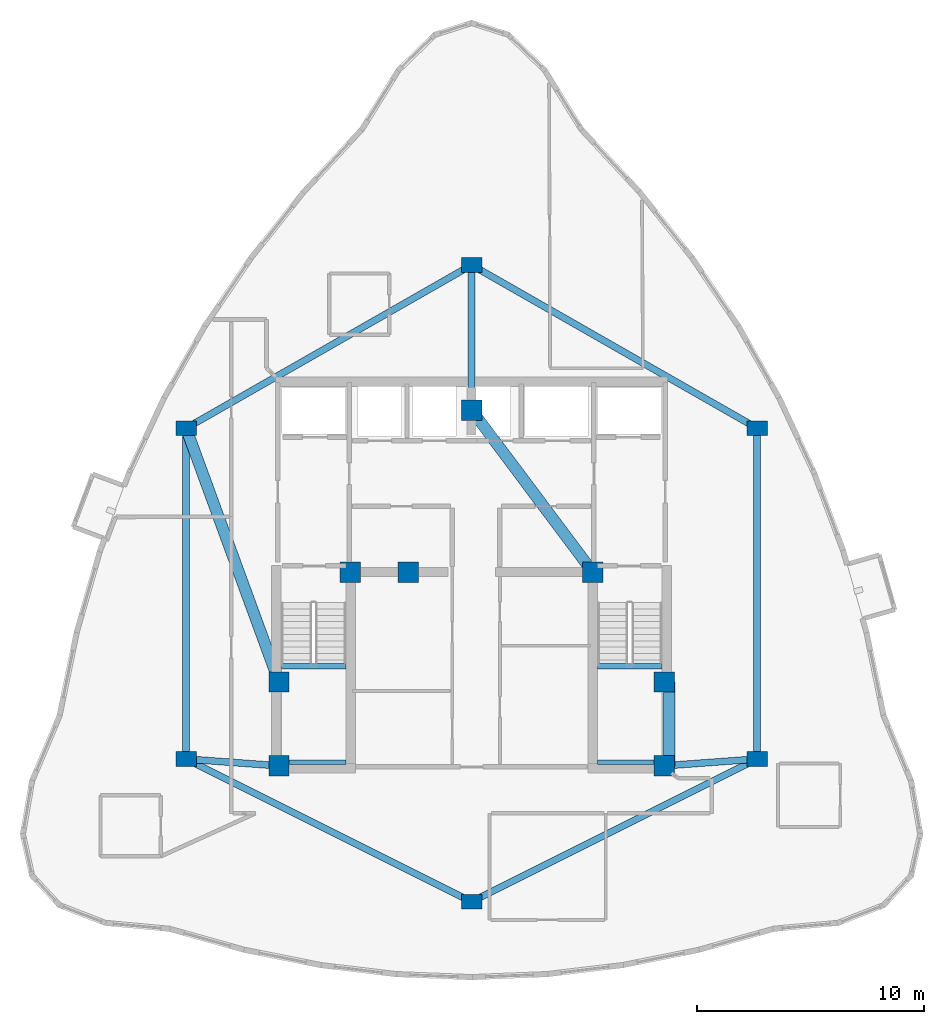
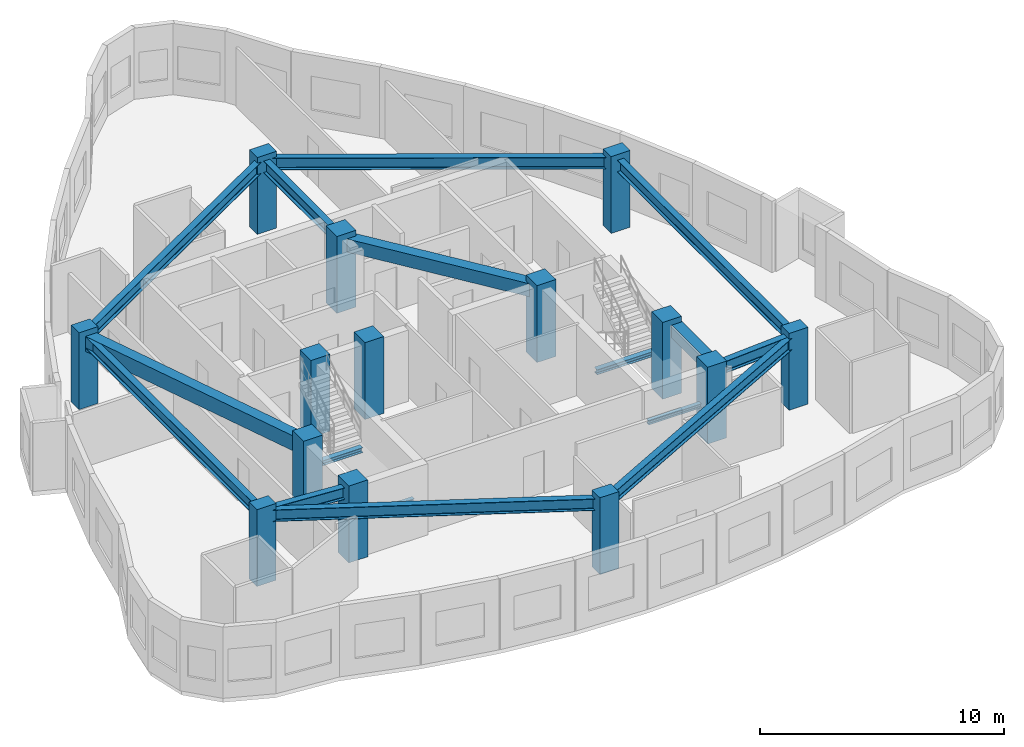
# One storey, part 1 of 9: 16 beams, 14 columns.
"""IFC4 building model written with IfcOpenShell, lengths in metres."""

from ifc_helpers import new_model, si_unit, direction, frame, origin, origin_2d, place, context, subcontext, project, spatial, rectangle, i_section, extrude, material, material_profile, profile_set, type_object, element, save


model = new_model("IFC4")

# Units and contexts
model_context = context("Model", 3, precision=1e-05, world=origin(), true_north=direction((0.0, 1.0)))
body_context = subcontext(model_context, "Body", "Model", "MODEL_VIEW")
ifc_project = project(units=[si_unit("LENGTHUNIT", "METRE"), si_unit("AREAUNIT", "SQUARE_METRE"), si_unit("VOLUMEUNIT", "CUBIC_METRE"), si_unit("PLANEANGLEUNIT", "RADIAN"), si_unit("MASSUNIT", "GRAM", prefix="KILO")], contexts=[model_context])

# Site, building, storey
site_placement = place(None, origin())
site = spatial("IfcSite", under=ifc_project, at=site_placement, CompositionType="ELEMENT")
building_placement = place(site_placement, origin())
building = spatial("IfcBuilding", under=site, at=building_placement, Name="Miruveldt Soraemaru", CompositionType="ELEMENT")
storey_placement = place(building_placement, frame((0.0, 0.0, 267.39990234375)))
storey = spatial("IfcBuildingStorey", under=building, at=storey_placement, Name="L73", CompositionType="ELEMENT", Elevation=267.39990234375)

# Columns
ifc_material_1 = material(Name="Concrete C50/60 (50 MPa)", Category="concrete")
ifc_material_profile_1 = material_profile(ifc_material_1, rectangle(XDim=0.89990234375, YDim=0.89990234375, at=origin_2d()), Name="Concrete C50/60 (50 MPa)", Category="concrete")
ifc_profile_set_1 = profile_set([ifc_material_profile_1], Name="Concrete C50/60 (50 MPa)")
column_type_1 = type_object("IfcColumnType", Name="COL-CORE-900", PredefinedType="COLUMN", material=ifc_profile_set_1)
for number, where, z_axis, x_axis, name in (
    (1, (35.5, 35.5, 0.0), (0.0, 0.0, 1.0), (1.0, 0.0, 0.0), "L73 Structural Column CC1"),
    (2, (38.64990234375, 44.050048828125, 0.0), (0.0, 0.0, 1.0), (1.0, 0.0, 0.0), "L73 Structural Column CC2"),
    (3, (52.5, 35.5, 0.0), (0.0, 0.0, 1.0), (1.0, 0.0, 0.0), "L73 Structural Column CC3"),
    (4, (52.5, 39.199951171875, 0.0), (0.0, 0.0, 1.0), (1.0, 0.0, 0.0), "L73 Structural Column CC4"),
    (5, (49.35009765625, 44.050048828125, 0.0), (0.0, 0.0, 1.0), (1.0, 0.0, 0.0), "L73 Structural Column CC5"),
    (6, (44.0, 51.199951171875, 0.0), (0.0, 0.0, 1.0), (1.0, 0.0, 0.0), "L73 Structural Column CC6"),
    (7, (35.5, 39.199951171875, 0.0), (0.0, 0.0, 1.0), (1.0, 0.0, 0.0), "L73 Structural Column CC7"),
    (8, (41.199951171875, 44.050048828125, 0.0), (0.0, 0.0, 1.0), (1.0, 0.0, 0.0), "L73 Structural Column CC8"),
):
    element("IfcColumn", number, at=place(storey_placement, frame(where, z_axis=z_axis, x_axis=x_axis)), inside=storey, type_object=column_type_1, Name=name, PredefinedType="COLUMN", context=body_context, shape_type="SweptSolid", body=[
        extrude(rectangle(XDim=0.89990234375, YDim=0.89990234375, at=origin_2d()), origin(), (0.0, 0.0, 1.0), 3.85009765625),
    ])
ifc_material_profile_2 = material_profile(ifc_material_1, rectangle(XDim=0.89990234375, YDim=0.64990234375, at=origin_2d()), Name="Concrete C50/60 (50 MPa)", Category="concrete")
ifc_profile_set_2 = profile_set([ifc_material_profile_2], Name="Concrete C50/60 (50 MPa)")
column_type_2 = type_object("IfcColumnType", Name="COL-TW-Z4", PredefinedType="COLUMN", material=ifc_profile_set_2)
for number, where, z_axis, x_axis, name in (
    (9, (44.0, 57.60009765625, 0.0), (0.0, 0.0, 1.0), (1.0, 0.0, 0.0), "L73 Structural Column IR01"),
    (10, (56.60009765625, 50.39990234375, 0.0), (0.0, 0.0, 1.0), (1.0, 0.0, 0.0), "L73 Structural Column IR02"),
    (11, (56.60009765625, 35.800048828125, 0.0), (0.0, 0.0, 1.0), (1.0, 0.0, 0.0), "L73 Structural Column IR03"),
    (12, (44.0, 29.5, 0.0), (0.0, 0.0, 1.0), (1.0, 0.0, 0.0), "L73 Structural Column IR04"),
    (13, (31.39990234375, 35.800048828125, 0.0), (0.0, 0.0, 1.0), (1.0, 0.0, 0.0), "L73 Structural Column IR05"),
    (14, (31.39990234375, 50.39990234375, 0.0), (0.0, 0.0, 1.0), (1.0, 0.0, 0.0), "L73 Structural Column IR06"),
):
    element("IfcColumn", number, at=place(storey_placement, frame(where, z_axis=z_axis, x_axis=x_axis)), inside=storey, type_object=column_type_2, Name=name, PredefinedType="COLUMN", context=body_context, shape_type="SweptSolid", body=[
        extrude(rectangle(XDim=0.89990234375, YDim=0.64990234375, at=origin_2d()), origin(), (0.0, 0.0, 1.0), 3.85009765625),
    ])

# Beams
ifc_material_profile_3 = material_profile(ifc_material_1, rectangle(XDim=0.5, YDim=0.64990234375, at=origin_2d()), Name="Concrete C50/60 (50 MPa)", Category="concrete")
ifc_profile_set_3 = profile_set([ifc_material_profile_3], Name="Concrete C50/60 (50 MPa)")
beam_type_1 = type_object("IfcBeamType", Name="BM-RC-500x650", PredefinedType="BEAM", material=ifc_profile_set_3)
beam_1_placement = place(storey_placement, frame((52.72998046875, 35.5, 3.239990234375), z_axis=(0.0, 1.0, 0.0), x_axis=(-1.0, 0.0, 0.0)))
element("IfcBeam", 15, at=beam_1_placement, inside=storey, type_object=beam_type_1, Name="L73 Core Tie Beam 3", PredefinedType="BEAM", context=body_context, shape_type="SweptSolid", body=[
    extrude(rectangle(XDim=0.5, YDim=0.64990234375, at=origin_2d()), origin(), (0.0, 0.0, 1.0), 3.699951171875),
])
beam_2_placement = place(storey_placement, frame((49.35009765625, 44.050048828125, 3.239990234375), z_axis=(-0.599116023999, 0.800662219533, 0.0), x_axis=(-0.800662219533, -0.599116023999, 0.0)))
element("IfcBeam", 16, at=beam_2_placement, inside=storey, type_object=beam_type_1, Name="L73 Core Tie Beam 5", PredefinedType="BEAM", context=body_context, shape_type="SweptSolid", body=[
    extrude(rectangle(XDim=0.5, YDim=0.64990234375, at=origin_2d()), origin(), (0.0, 0.0, 1.0), 8.929931640625),
])
ifc_material_2 = material(Name="Concrete C40/50 (40 MPa)", Category="concrete")
ifc_material_profile_4 = material_profile(ifc_material_2, rectangle(XDim=0.5, YDim=0.75, at=origin_2d()), Name="Concrete C40/50 (40 MPa)", Category="concrete")
ifc_profile_set_4 = profile_set([ifc_material_profile_4], Name="Concrete C40/50 (40 MPa)")
beam_type_2 = type_object("IfcBeamType", Name="BM-RC-500x750", PredefinedType="LINTEL", material=ifc_profile_set_4)
beam_3_placement = place(storey_placement, frame((31.39990234375, 50.39990234375, 3.190185546875), z_axis=(0.343770424598, -0.939053723262, 0.0), x_axis=(0.939053723262, 0.343770424598, 0.0)))
element("IfcBeam", 17, at=beam_3_placement, inside=storey, type_object=beam_type_2, Name="L73 West Lobby Lintel", PredefinedType="LINTEL", context=body_context, shape_type="SweptSolid", body=[
    extrude(rectangle(XDim=0.5, YDim=0.75, at=origin_2d()), origin(), (0.0, 0.0, 1.0), 11.9267578125),
])
ifc_material_3 = material(Name="Steel SM355 (355 MPa)", Category="steel")
ifc_material_profile_5 = material_profile(ifc_material_3, i_section(OverallWidth=0.300048828125, OverallDepth=0.587890625, WebThickness=0.011962890625, FlangeThickness=0.02001953125, FilletRadius=0.028076171875, at=origin_2d()), Name="Steel SM355 (355 MPa)", Category="steel")
ifc_profile_set_5 = profile_set([ifc_material_profile_5], Name="Steel SM355 (355 MPa)")
beam_type_3 = type_object("IfcBeamType", Name="BM-ST-H588", PredefinedType="BEAM", material=ifc_profile_set_5)
beam_4_placement = place(storey_placement, frame((44.0, 57.60009765625, 3.27099609375), z_axis=(0.868239001029, -0.496146185203, 0.0), x_axis=(0.496146185203, 0.868239001029, 0.0)))
element("IfcBeam", 18, at=beam_4_placement, inside=storey, type_object=beam_type_3, Name="L73 Inner Ring Girder 1", PredefinedType="BEAM", context=body_context, shape_type="SweptSolid", body=[
    extrude(i_section(OverallWidth=0.300048828125, OverallDepth=0.587890625, WebThickness=0.011962890625, FlangeThickness=0.02001953125, FilletRadius=0.028076171875, at=origin_2d()), origin(), (0.0, 0.0, 1.0), 14.51220703125),
])
beam_5_placement = place(storey_placement, frame((44.0, 51.199951171875, 3.27099609375), z_axis=(0.0, 1.0, 0.0), x_axis=(-1.0, 0.0, 0.0)))
element("IfcBeam", 19, at=beam_5_placement, inside=storey, type_object=beam_type_3, Name="L73 Core-to-Inner Radial Girder 1", PredefinedType="BEAM", context=body_context, shape_type="SweptSolid", body=[
    extrude(i_section(OverallWidth=0.300048828125, OverallDepth=0.587890625, WebThickness=0.011962890625, FlangeThickness=0.02001953125, FilletRadius=0.028076171875, at=origin_2d()), origin(), (0.0, 0.0, 1.0), 6.400146484375),
])
beam_6_placement = place(storey_placement, frame((56.60009765625, 50.39990234375, 3.27099609375), z_axis=(0.0, -1.0, 0.0), x_axis=(1.0, 0.0, 0.0)))
element("IfcBeam", 20, at=beam_6_placement, inside=storey, type_object=beam_type_3, Name="L73 Inner Ring Girder 2", PredefinedType="BEAM", context=body_context, shape_type="SweptSolid", body=[
    extrude(i_section(OverallWidth=0.300048828125, OverallDepth=0.587890625, WebThickness=0.011962890625, FlangeThickness=0.02001953125, FilletRadius=0.028076171875, at=origin_2d()), origin(), (0.0, 0.0, 1.0), 14.599853515625),
])
beam_7_placement = place(storey_placement, frame((56.60009765625, 35.800048828125, 3.27099609375), z_axis=(-0.894427191, -0.4472135955, 0.0), x_axis=(0.4472135955, -0.894427191, 0.0)))
element("IfcBeam", 21, at=beam_7_placement, inside=storey, type_object=beam_type_3, Name="L73 Inner Ring Girder 3", PredefinedType="BEAM", context=body_context, shape_type="SweptSolid", body=[
    extrude(i_section(OverallWidth=0.300048828125, OverallDepth=0.587890625, WebThickness=0.011962890625, FlangeThickness=0.02001953125, FilletRadius=0.028076171875, at=origin_2d()), origin(), (0.0, 0.0, 1.0), 14.08740234375),
])
beam_8_placement = place(storey_placement, frame((52.5, 35.5, 3.27099609375), z_axis=(0.997332985605, 0.072985723431, 0.0), x_axis=(-0.072985723431, 0.997332985605, 0.0)))
element("IfcBeam", 22, at=beam_8_placement, inside=storey, type_object=beam_type_3, Name="L73 Core-to-Inner Radial Girder 3", PredefinedType="BEAM", context=body_context, shape_type="SweptSolid", body=[
    extrude(i_section(OverallWidth=0.300048828125, OverallDepth=0.587890625, WebThickness=0.011962890625, FlangeThickness=0.02001953125, FilletRadius=0.028076171875, at=origin_2d()), origin(), (0.0, 0.0, 1.0), 4.111083984375),
])
beam_9_placement = place(storey_placement, frame((44.0, 29.5, 3.27099609375), z_axis=(-0.894427191, 0.4472135955, 0.0), x_axis=(-0.4472135955, -0.894427191, 0.0)))
element("IfcBeam", 23, at=beam_9_placement, inside=storey, type_object=beam_type_3, Name="L73 Inner Ring Girder 4", PredefinedType="BEAM", context=body_context, shape_type="SweptSolid", body=[
    extrude(i_section(OverallWidth=0.300048828125, OverallDepth=0.587890625, WebThickness=0.011962890625, FlangeThickness=0.02001953125, FilletRadius=0.028076171875, at=origin_2d()), origin(), (0.0, 0.0, 1.0), 14.08740234375),
])
beam_10_placement = place(storey_placement, frame((31.39990234375, 35.800048828125, 3.27099609375), z_axis=(0.0, 1.0, 0.0), x_axis=(-1.0, 0.0, 0.0)))
element("IfcBeam", 24, at=beam_10_placement, inside=storey, type_object=beam_type_3, Name="L73 Inner Ring Girder 5", PredefinedType="BEAM", context=body_context, shape_type="SweptSolid", body=[
    extrude(i_section(OverallWidth=0.300048828125, OverallDepth=0.587890625, WebThickness=0.011962890625, FlangeThickness=0.02001953125, FilletRadius=0.028076171875, at=origin_2d()), origin(), (0.0, 0.0, 1.0), 14.599853515625),
])
beam_11_placement = place(storey_placement, frame((35.5, 35.5, 3.27099609375), z_axis=(-0.997332985605, 0.072985723431, 0.0), x_axis=(-0.072985723431, -0.997332985605, 0.0)))
element("IfcBeam", 25, at=beam_11_placement, inside=storey, type_object=beam_type_3, Name="L73 Core-to-Inner Radial Girder 5", PredefinedType="BEAM", context=body_context, shape_type="SweptSolid", body=[
    extrude(i_section(OverallWidth=0.300048828125, OverallDepth=0.587890625, WebThickness=0.011962890625, FlangeThickness=0.02001953125, FilletRadius=0.028076171875, at=origin_2d()), origin(), (0.0, 0.0, 1.0), 4.111083984375),
])
beam_12_placement = place(storey_placement, frame((31.39990234375, 50.39990234375, 3.27099609375), z_axis=(0.868239001029, 0.496146185203, 0.0), x_axis=(-0.496146185203, 0.868239001029, 0.0)))
element("IfcBeam", 26, at=beam_12_placement, inside=storey, type_object=beam_type_3, Name="L73 Inner Ring Girder 6", PredefinedType="BEAM", context=body_context, shape_type="SweptSolid", body=[
    extrude(i_section(OverallWidth=0.300048828125, OverallDepth=0.587890625, WebThickness=0.011962890625, FlangeThickness=0.02001953125, FilletRadius=0.028076171875, at=origin_2d()), origin(), (0.0, 0.0, 1.0), 14.51220703125),
])
ifc_material_profile_6 = material_profile(ifc_material_3, i_section(OverallWidth=0.199951171875, OverallDepth=0.199951171875, WebThickness=0.008056640625, FlangeThickness=0.011962890625, FilletRadius=0.012939453125, at=origin_2d()), Name="Steel SM355 (355 MPa)", Category="steel")
ifc_profile_set_6 = profile_set([ifc_material_profile_6], Name="Steel SM355 (355 MPa)")
beam_type_4 = type_object("IfcBeamType", Name="BM-ST-LND200", PredefinedType="BEAM", material=ifc_profile_set_6)
for number, where, z_axis, x_axis, name in (
    (27, (35.60009765625, 35.64990234375, 1.625), (1.0, 0.0, 0.0), (0.0, 1.0, 0.0), "L73 ST1 Landing End Beam 1B"),
    (28, (49.550048828125, 35.64990234375, 1.625), (1.0, 0.0, 0.0), (0.0, 1.0, 0.0), "L73 ST2 Landing End Beam 1B"),
):
    element("IfcBeam", number, at=place(storey_placement, frame(where, z_axis=z_axis, x_axis=x_axis)), inside=storey, type_object=beam_type_4, Name=name, PredefinedType="BEAM", context=body_context, shape_type="SweptSolid", body=[
        extrude(i_section(OverallWidth=0.199951171875, OverallDepth=0.199951171875, WebThickness=0.008056640625, FlangeThickness=0.011962890625, FilletRadius=0.012939453125, at=origin_2d()), origin(), (0.0, 0.0, 1.0), 2.849853515625),
    ])
ifc_material_profile_7 = material_profile(ifc_material_3, i_section(OverallWidth=0.25, OverallDepth=0.25, WebThickness=0.009033203125, FlangeThickness=0.013916015625, FilletRadius=0.01611328125, at=origin_2d()), Name="Steel SM355 (355 MPa)", Category="steel")
ifc_profile_set_7 = profile_set([ifc_material_profile_7], Name="Steel SM355 (355 MPa)")
beam_type_5 = type_object("IfcBeamType", Name="BM-ST-LND250", PredefinedType="BEAM", material=ifc_profile_set_7)
for number, where, z_axis, x_axis, name in (
    (29, (35.60009765625, 39.89990234375, 1.60009765625), (1.0, 0.0, 0.0), (0.0, 1.0, 0.0), "L73 ST1 Landing Support Beam 1A"),
    (30, (49.550048828125, 39.89990234375, 1.60009765625), (1.0, 0.0, 0.0), (0.0, 1.0, 0.0), "L73 ST2 Landing Support Beam 1A"),
):
    element("IfcBeam", number, at=place(storey_placement, frame(where, z_axis=z_axis, x_axis=x_axis)), inside=storey, type_object=beam_type_5, Name=name, PredefinedType="BEAM", context=body_context, shape_type="SweptSolid", body=[
        extrude(i_section(OverallWidth=0.25, OverallDepth=0.25, WebThickness=0.009033203125, FlangeThickness=0.013916015625, FilletRadius=0.01611328125, at=origin_2d()), origin(), (0.0, 0.0, 1.0), 2.849853515625),
    ])

save(model, "model.ifc")
